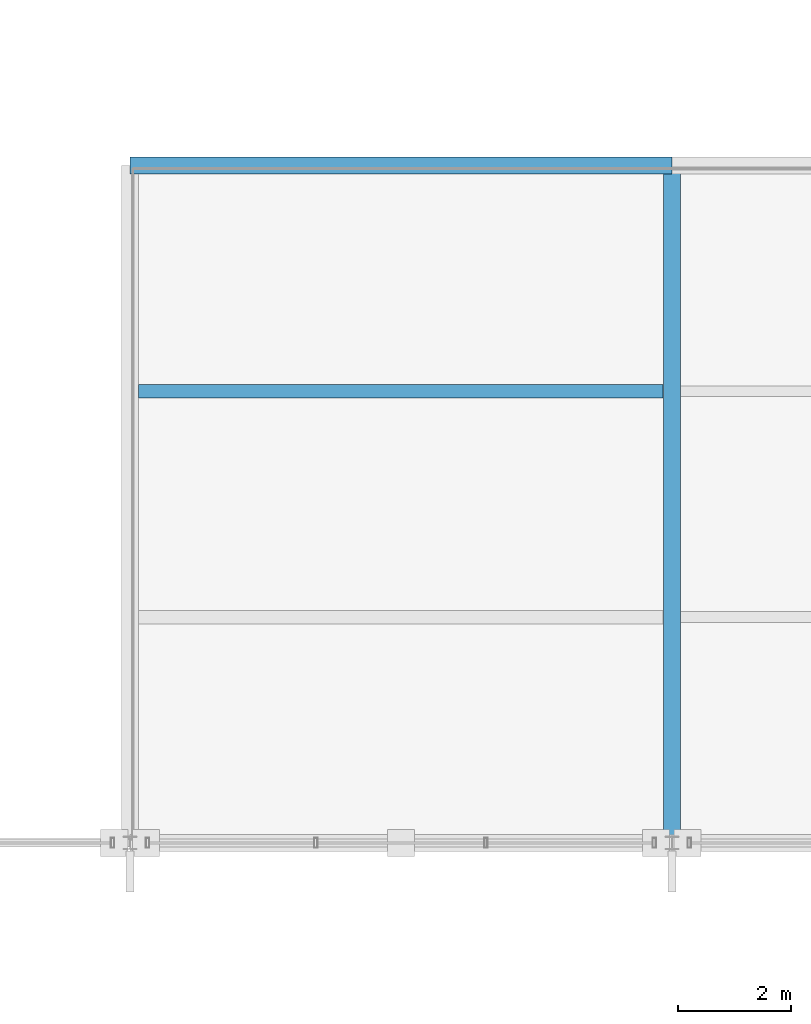
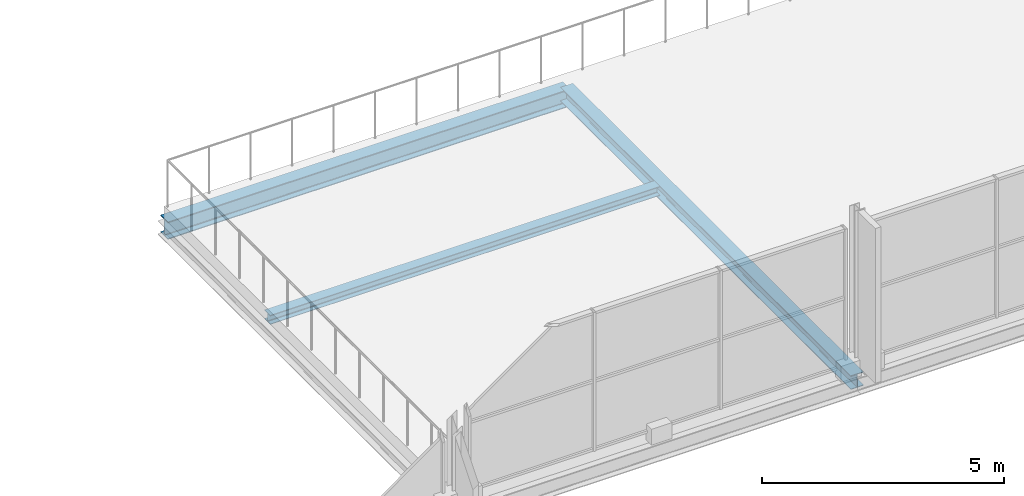
# One storey, part 25 of 117: 3 beams.
"""IFC4 building model written with IfcOpenShell, lengths in metres."""

from ifc_helpers import new_model, si_unit, direction, frame, origin, origin_2d, place, context, subcontext, project, spatial, i_section, extrude, material, material_profile, profile_set, type_object, element, save


model = new_model("IFC4")

# Units and contexts
model_context = context("Model", 3, precision=1e-05, world=origin(), true_north=direction((0.0, 1.0)))
body_context = subcontext(model_context, "Body", "Model", "MODEL_VIEW")
ifc_project = project(units=[si_unit("LENGTHUNIT", "METRE"), si_unit("AREAUNIT", "SQUARE_METRE"), si_unit("VOLUMEUNIT", "CUBIC_METRE"), si_unit("PLANEANGLEUNIT", "RADIAN"), si_unit("MASSUNIT", "GRAM", prefix="KILO")], contexts=[model_context])

# Site, building, storey
site_placement = place(None, origin())
site = spatial("IfcSite", under=ifc_project, at=site_placement, CompositionType="ELEMENT")
building_placement = place(site_placement, origin())
building = spatial("IfcBuilding", under=site, at=building_placement, Name="Merenkruunu Market Hall", CompositionType="ELEMENT")
storey_placement = place(building_placement, frame((0.0, 0.0, 10.199951171875)))
storey = spatial("IfcBuildingStorey", under=building, at=storey_placement, Name="L02", CompositionType="ELEMENT", Elevation=10.199951171875)

# Beams
ifc_material = material(Name="Steel S355J2", Category="steel")
ifc_material_profile_1 = material_profile(ifc_material, i_section(OverallWidth=0.300048828125, OverallDepth=0.43994140625, WebThickness=0.011474609375, FlangeThickness=0.02099609375, FilletRadius=0.027099609375, at=origin_2d()), Name="HEA 450")
ifc_profile_set_1 = profile_set([ifc_material_profile_1], Name="Steel S355J2")
beam_type_1 = type_object("IfcBeamType", Name="Primary Floor Girder B07", PredefinedType="BEAM", material=ifc_profile_set_1)
beam_1_placement = place(storey_placement, frame((19.199951171875, 27.60009765625, -0.530029296875), z_axis=(1.0, 0.0, 0.0), x_axis=(0.0, 1.0, 0.0)))
element("IfcBeam", 1, at=beam_1_placement, inside=storey, type_object=beam_type_1, Name="BM-L02-B07-0752", PredefinedType="BEAM", context=body_context, shape_type="SweptSolid", body=[
    extrude(i_section(OverallWidth=0.300048828125, OverallDepth=0.43994140625, WebThickness=0.011474609375, FlangeThickness=0.02099609375, FilletRadius=0.027099609375, at=origin_2d()), origin(), (0.0, 0.0, 1.0), 9.60009765625),
])
ifc_material_profile_2 = material_profile(ifc_material, i_section(OverallWidth=0.300048828125, OverallDepth=0.35009765625, WebThickness=0.010009765625, FlangeThickness=0.017578125, FilletRadius=0.027099609375, at=origin_2d()), Name="HEA 360")
ifc_profile_set_2 = profile_set([ifc_material_profile_2], Name="Steel S355J2")
beam_type_2 = type_object("IfcBeamType", Name="Primary Floor Girder B08", PredefinedType="BEAM", material=ifc_profile_set_2)
beam_2_placement = place(storey_placement, frame((28.800048828125, 15.60009765625, -0.48486328125), z_axis=(0.0, 1.0, 0.0), x_axis=(-1.0, 0.0, 0.0)))
element("IfcBeam", 2, at=beam_2_placement, inside=storey, type_object=beam_type_2, Name="BM-L02-B08-0776", PredefinedType="BEAM", context=body_context, shape_type="SweptSolid", body=[
    extrude(i_section(OverallWidth=0.300048828125, OverallDepth=0.35009765625, WebThickness=0.010009765625, FlangeThickness=0.017578125, FilletRadius=0.027099609375, at=origin_2d()), origin(), (0.0, 0.0, 1.0), 12.0),
])
ifc_material_profile_3 = material_profile(ifc_material, i_section(OverallWidth=0.239990234375, OverallDepth=0.22998046875, WebThickness=0.007568359375, FlangeThickness=0.011962890625, FilletRadius=0.02099609375, at=origin_2d()), Name="HEA 240")
ifc_profile_set_3 = profile_set([ifc_material_profile_3], Name="Steel S355J2")
beam_type_3 = type_object("IfcBeamType", Name="Secondary Floor Joist J06", PredefinedType="JOIST", material=ifc_profile_set_3)
beam_3_placement = place(storey_placement, frame((19.35302734375, 23.60009765625, -0.425048828125), z_axis=(1.0, 0.0, 0.0), x_axis=(0.0, 1.0, 0.0)))
element("IfcBeam", 3, at=beam_3_placement, inside=storey, type_object=beam_type_3, Name="BM-L02-J06-0817", PredefinedType="JOIST", context=body_context, shape_type="SweptSolid", body=[
    extrude(i_section(OverallWidth=0.239990234375, OverallDepth=0.22998046875, WebThickness=0.007568359375, FlangeThickness=0.011962890625, FilletRadius=0.02099609375, at=origin_2d()), origin(), (0.0, 0.0, 1.0), 9.2939453125),
])

save(model, "model.ifc")
